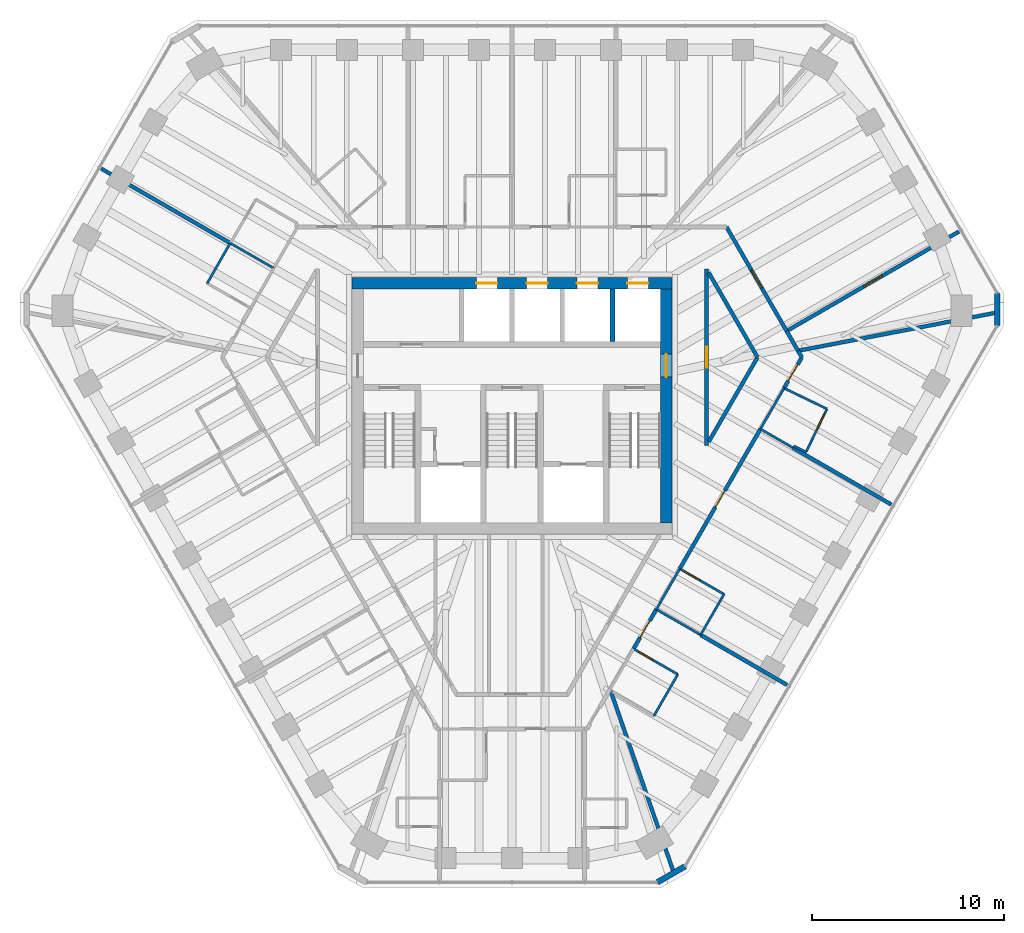
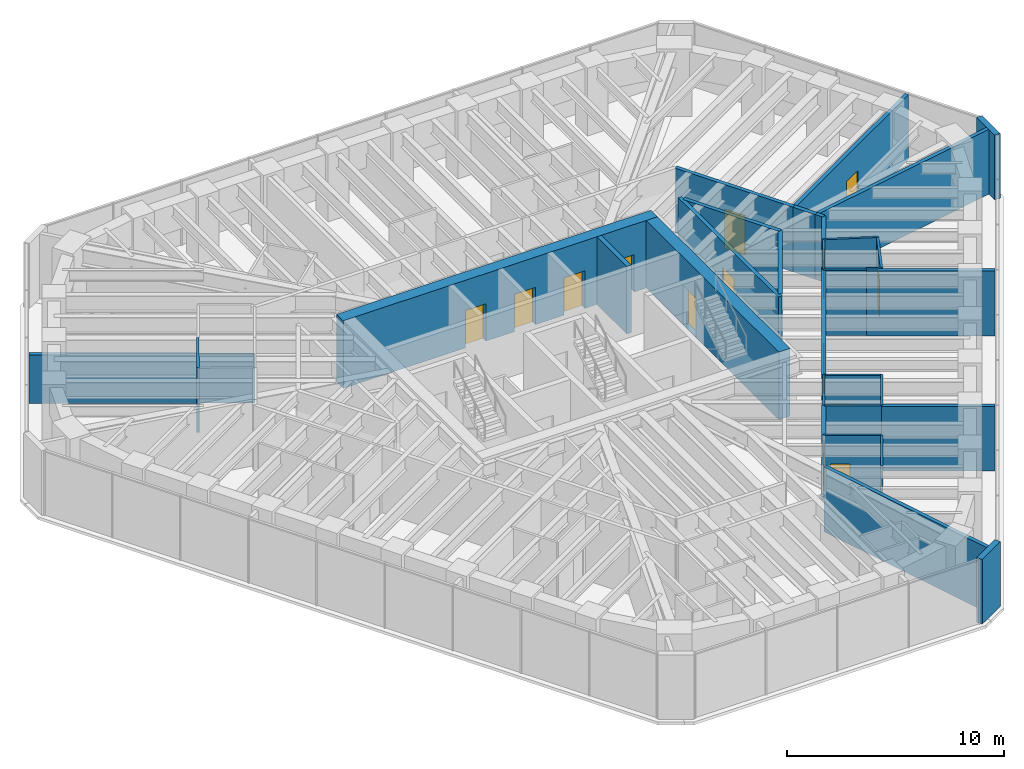
# One storey, part 11 of 14: 33 walls, 14 doors, 14 openings.
"""IFC4 building model written with IfcOpenShell, lengths in metres."""

from ifc_helpers import new_model, si_unit, direction, frame, frame_2d, origin, place, context, subcontext, project, spatial, rectangle, extrude, material, layer, layer_set, type_object, element, fill, save


model = new_model("IFC4")

# Units and contexts
model_context = context("Model", 3, precision=1e-05, world=origin(), true_north=direction((0.0, 1.0)))
body_context = subcontext(model_context, "Body", "Model", "MODEL_VIEW")
ifc_project = project(units=[si_unit("LENGTHUNIT", "METRE"), si_unit("AREAUNIT", "SQUARE_METRE"), si_unit("VOLUMEUNIT", "CUBIC_METRE"), si_unit("PLANEANGLEUNIT", "RADIAN"), si_unit("MASSUNIT", "GRAM", prefix="KILO")], contexts=[model_context])

# Site, building, storey
site_placement = place(None, origin())
site = spatial("IfcSite", under=ifc_project, at=site_placement, CompositionType="ELEMENT")
building_placement = place(site_placement, origin())
building = spatial("IfcBuilding", under=site, at=building_placement, Name="Sandreach Pilgrim Tower", CompositionType="ELEMENT")
storey_placement = place(building_placement, frame((0.0, 0.0, 295.0)))
storey = spatial("IfcBuildingStorey", under=building, at=storey_placement, Name="L74", CompositionType="ELEMENT", Elevation=295.0)

# Walls
ifc_material_1 = material(Name="Moisture-resistant gypsum board on steel studs", Category="steel")
ifc_layer_1 = layer(ifc_material_1, 0.1201171875)
ifc_layer_set_1 = layer_set([ifc_layer_1], Name="Bathroom partition 120")
wall_type_1 = type_object("IfcWallType", Name="Bathroom partition 120", PredefinedType="PARTITIONING", material=ifc_layer_set_1)
wall_1_placement = place(storey_placement, frame((-14.699951171875, 8.489990234375, 0.0), z_axis=(0.0, 0.0, 1.0), x_axis=(-0.496106327528, -0.868261776072, 0.0)))
element("IfcWall", 1, at=wall_1_placement, inside=storey, type_object=wall_type_1, Name="Bathroom partition L74-013", PredefinedType="PARTITIONING", context=body_context, shape_type="SweptSolid", body=[
    extrude(rectangle(XDim=2.418701171875, YDim=0.1201171875, at=frame_2d((1.20947265625, 0.0))), origin(), (0.0, 0.0, 1.0), 3.639892578125),
])
wall_2_placement = place(storey_placement, frame((-14.68994140625, 8.47998046875, 0.0), z_axis=(0.0, 0.0, 1.0), x_axis=(0.866816256489, -0.498627694264, 0.0)))
element("IfcWall", 2, at=wall_2_placement, inside=storey, type_object=wall_type_1, Name="Bathroom partition L74-014", PredefinedType="PARTITIONING", context=body_context, shape_type="SweptSolid", body=[
    extrude(rectangle(XDim=2.607177734375, YDim=0.1201171875, at=frame_2d((1.3037109375, 0.0))), origin(), (0.0, 0.0, 1.0), 2.712890625),
])
wall_3_placement = place(storey_placement, frame((7.39990234375, -16.179931640625, 0.0), z_axis=(0.0, 0.0, 1.0), x_axis=(0.499159685399, 0.866510016372, 0.0)))
element("IfcWall", 3, at=wall_3_placement, inside=storey, type_object=wall_type_1, Name="Bathroom partition L74-091", PredefinedType="PARTITIONING", context=body_context, shape_type="SweptSolid", body=[
    extrude(rectangle(XDim=2.504150390625, YDim=0.1201171875, at=frame_2d((1.251953125, 0.0))), origin(), (0.0, 0.0, 1.0), 3.639892578125),
])
wall_4_placement = place(storey_placement, frame((7.530029296875, -10.6201171875, 0.0), z_axis=(0.0, 0.0, 1.0), x_axis=(0.498748634132, 0.866746675766, 0.0)))
element("IfcWall", 4, at=wall_4_placement, inside=storey, type_object=wall_type_1, Name="Bathroom partition L74-092", PredefinedType="PARTITIONING", context=body_context, shape_type="SweptSolid", body=[
    extrude(rectangle(XDim=2.446044921875, YDim=0.1201171875, at=frame_2d((1.22314453125, 0.0))), origin(), (0.0, 0.0, 1.0), 3.639892578125),
])
wall_5_placement = place(storey_placement, frame((7.530029296875, -10.6201171875, 0.0), z_axis=(0.0, 0.0, 1.0), x_axis=(0.866654860089, -0.498908161372, 0.0)))
element("IfcWall", 5, at=wall_5_placement, inside=storey, type_object=wall_type_1, Name="Bathroom partition L74-093", PredefinedType="PARTITIONING", context=body_context, shape_type="SweptSolid", body=[
    extrude(rectangle(XDim=2.66552734375, YDim=0.1201171875, at=frame_2d((1.332763671875, 0.0))), origin(), (0.0, 0.0, 1.0), 3.639892578125),
])

# Wall, opening, door
wall_6_placement = place(storey_placement, frame((8.64990234375, -14.010009765625, 0.0), z_axis=(0.0, 0.0, 1.0), x_axis=(-0.866592449628, 0.499016559092, 0.0)))
wall_6 = element("IfcWall", 6, at=wall_6_placement, inside=storey, type_object=wall_type_1, Name="Bathroom partition L74-099", PredefinedType="PARTITIONING", context=body_context, shape_type="SweptSolid", body=[
    extrude(rectangle(XDim=2.665283203125, YDim=0.1201171875, at=frame_2d((1.33251953125, 0.0))), origin(), (0.0, 0.0, 1.0), 3.639892578125),
])
opening_1_placement = place(wall_6_placement, frame((1.465576171875, 0.0, 0.0)))
opening_1 = element("IfcOpeningElement", 7, at=opening_1_placement, cuts=wall_6, Name="Opening D09-09B", PredefinedType="OPENING", context=body_context, shape_type="SweptSolid", body=[
    extrude(rectangle(XDim=0.89990234375, YDim=2.030029296875, at=frame_2d((0.449951171875, 1.01513671875))), frame((0.0, 0.06005859375, 0.0), z_axis=(0.0, -1.0, 0.0), x_axis=(1.0, 0.0, 0.0)), (0.0, 0.0, 1.0), 0.1201171875),
])
ifc_material_2 = material(Name="Timber door, steel frame", Category="steel")
door_type_1 = type_object("IfcDoorType", Name="Bathroom door", OperationType="SINGLE_SWING_LEFT", PredefinedType="DOOR", material=ifc_material_2)
door_1_placement = place(opening_1_placement, origin())
door_1 = element("IfcDoor", 8, at=door_1_placement, inside=storey, type_object=door_type_1, Name="Door 7409B", OperationType="SINGLE_SWING_RIGHT", OverallHeight=2.030029296875, OverallWidth=0.89990234375, PredefinedType="DOOR", context=body_context, shape_type="SweptSolid", body=[
    extrude(rectangle(XDim=0.89990234375, YDim=2.030029296875, at=frame_2d((0.449951171875, 1.01513671875))), frame((0.0, 0.02490234375, 0.0), z_axis=(0.0, -1.0, 0.0), x_axis=(1.0, 0.0, 0.0)), (0.0, 0.0, 1.0), 0.050048828125),
])
fill(opening_1, door_1)

# Wall
wall_7_placement = place(storey_placement, frame((9.840087890625, -11.949951171875, 0.0), z_axis=(0.0, 0.0, 1.0), x_axis=(0.498791783817, 0.866721844883, 0.0)))
element("IfcWall", 9, at=wall_7_placement, inside=storey, type_object=wall_type_1, Name="Bathroom partition L74-101", PredefinedType="PARTITIONING", context=body_context, shape_type="SweptSolid", body=[
    extrude(rectangle(XDim=2.44580078125, YDim=0.1201171875, at=frame_2d((1.222900390625, 0.0))), origin(), (0.0, 0.0, 1.0), 3.639892578125),
])

# Wall, opening, door
wall_8_placement = place(storey_placement, frame((11.06005859375, -9.830078125, 0.0), z_axis=(0.0, 0.0, 1.0), x_axis=(-0.866615255992, 0.498976951453, 0.0)))
wall_8 = element("IfcWall", 10, at=wall_8_placement, inside=storey, type_object=wall_type_1, Name="Bathroom partition L74-104", PredefinedType="PARTITIONING", context=body_context, shape_type="SweptSolid", body=[
    extrude(rectangle(XDim=2.66552734375, YDim=0.1201171875, at=frame_2d((1.332763671875, 0.0))), origin(), (0.0, 0.0, 1.0), 3.639892578125),
])
opening_2_placement = place(wall_8_placement, frame((1.465576171875, 0.0, 0.0)))
opening_2 = element("IfcOpeningElement", 11, at=opening_2_placement, cuts=wall_8, Name="Opening D09-08B", PredefinedType="OPENING", context=body_context, shape_type="SweptSolid", body=[
    extrude(rectangle(XDim=0.89990234375, YDim=2.030029296875, at=frame_2d((0.449951171875, 1.01513671875))), frame((0.0, 0.06005859375, 0.0), z_axis=(0.0, -1.0, 0.0), x_axis=(1.0, 0.0, 0.0)), (0.0, 0.0, 1.0), 0.1201171875),
])
door_2_placement = place(opening_2_placement, origin())
door_2 = element("IfcDoor", 12, at=door_2_placement, inside=storey, type_object=door_type_1, Name="Door 7408B", OperationType="SINGLE_SWING_RIGHT", OverallHeight=2.030029296875, OverallWidth=0.89990234375, PredefinedType="DOOR", context=body_context, shape_type="SweptSolid", body=[
    extrude(rectangle(XDim=0.89990234375, YDim=2.030029296875, at=frame_2d((0.449951171875, 1.01513671875))), frame((0.0, 0.02490234375, 0.0), z_axis=(0.0, -1.0, 0.0), x_axis=(1.0, 0.0, 0.0)), (0.0, 0.0, 1.0), 0.050048828125),
])
fill(opening_2, door_2)

# Walls
wall_9_placement = place(storey_placement, frame((12.958984375, -1.20947265625, 0.0), z_axis=(0.0, 0.0, 1.0), x_axis=(0.500472725713, 0.865752303385, 0.0)))
element("IfcWall", 13, at=wall_9_placement, inside=storey, type_object=wall_type_1, Name="Bathroom partition L74-108", PredefinedType="PARTITIONING", context=body_context, shape_type="SweptSolid", body=[
    extrude(rectangle(XDim=2.45947265625, YDim=0.1201171875, at=frame_2d((1.229736328125, 0.0))), origin(), (0.0, 0.0, 1.0), 3.639892578125),
])
wall_10_placement = place(storey_placement, frame((12.9599609375, -1.2099609375, 0.0), z_axis=(0.0, 0.0, 1.0), x_axis=(0.866075784294, -0.499912728242, 0.0)))
element("IfcWall", 14, at=wall_10_placement, inside=storey, type_object=wall_type_1, Name="Bathroom partition L74-109", PredefinedType="PARTITIONING", context=body_context, shape_type="SweptSolid", body=[
    extrude(rectangle(XDim=1.962158203125, YDim=0.1201171875, at=frame_2d((0.98095703125, 0.0))), origin(), (0.0, 0.0, 1.0), 3.639892578125),
])
wall_11_placement = place(storey_placement, frame((14.699951171875, -2.10009765625, 0.0), z_axis=(0.0, 0.0, 1.0), x_axis=(0.900120171182, -0.43564168468, 0.0)))
element("IfcWall", 15, at=wall_11_placement, inside=storey, type_object=wall_type_1, Name="Bathroom partition L74-114", PredefinedType="PARTITIONING", context=body_context, shape_type="SweptSolid", body=[
    extrude(rectangle(XDim=0.711181640625, YDim=0.1201171875, at=frame_2d((0.35546875, 0.0))), origin(), (0.0, 0.0, 1.0), 3.639892578125),
])

# Wall, opening, door
wall_12_placement = place(storey_placement, frame((15.340087890625, -2.409912109375, 0.0), z_axis=(0.0, 0.0, 1.0), x_axis=(0.435928453727, 0.899981323824, 0.0)))
wall_12 = element("IfcWall", 16, at=wall_12_placement, inside=storey, type_object=wall_type_1, Name="Bathroom partition L74-116", PredefinedType="PARTITIONING", context=body_context, shape_type="SweptSolid", body=[
    extrude(rectangle(XDim=2.5, YDim=0.1201171875, at=frame_2d((1.25, 0.0))), origin(), (0.0, 0.0, 1.0), 3.639892578125),
])
opening_3_placement = place(wall_12_placement, frame((1.300048828125, 0.0, 0.0)))
opening_3 = element("IfcOpeningElement", 17, at=opening_3_placement, cuts=wall_12, Name="Opening D09-07B", PredefinedType="OPENING", context=body_context, shape_type="SweptSolid", body=[
    extrude(rectangle(XDim=0.89990234375, YDim=2.030029296875, at=frame_2d((0.449951171875, 1.01513671875))), frame((0.0, 0.06005859375, 0.0), z_axis=(0.0, -1.0, 0.0), x_axis=(1.0, 0.0, 0.0)), (0.0, 0.0, 1.0), 0.1201171875),
])
door_3_placement = place(opening_3_placement, origin())
door_3 = element("IfcDoor", 18, at=door_3_placement, inside=storey, type_object=door_type_1, Name="Door 7407B", OperationType="SINGLE_SWING_RIGHT", OverallHeight=2.030029296875, OverallWidth=0.89990234375, PredefinedType="DOOR", context=body_context, shape_type="SweptSolid", body=[
    extrude(rectangle(XDim=0.89990234375, YDim=2.030029296875, at=frame_2d((0.449951171875, 1.01513671875))), frame((0.0, 0.02490234375, 0.0), z_axis=(0.0, -1.0, 0.0), x_axis=(1.0, 0.0, 0.0)), (0.0, 0.0, 1.0), 0.050048828125),
])
fill(opening_3, door_3)

# Wall
wall_13_placement = place(storey_placement, frame((16.429931640625, -0.159912109375, 0.0), z_axis=(0.0, 0.0, 1.0), x_axis=(-0.900794056548, 0.434246551729, 0.0)))
element("IfcWall", 19, at=wall_13_placement, inside=storey, type_object=wall_type_1, Name="Bathroom partition L74-117", PredefinedType="PARTITIONING", context=body_context, shape_type="SweptSolid", body=[
    extrude(rectangle(XDim=2.486572265625, YDim=0.1201171875, at=frame_2d((1.2431640625, 0.0))), origin(), (0.0, 0.0, 1.0), 3.639892578125),
])

# Wall, openings, doors
ifc_material_3 = material(Name="Concrete 10000 psi", Category="concrete")
ifc_layer_2 = layer(ifc_material_3, 0.60009765625)
ifc_layer_set_2 = layer_set([ifc_layer_2], Name="Core wall 600")
wall_type_2 = type_object("IfcWallType", Name="Core wall 600", PredefinedType="SHEAR", material=ifc_layer_set_2)
wall_14_placement = place(storey_placement, frame((-8.35009765625, 6.39990234375, 0.0), z_axis=(0.0, 0.0, 1.0), x_axis=(1.0, 0.0, 0.0)))
wall_14 = element("IfcWall", 20, at=wall_14_placement, inside=storey, type_object=wall_type_2, Name="Core wall N L74", PredefinedType="SHEAR", context=body_context, shape_type="SweptSolid", body=[
    extrude(rectangle(XDim=16.7001953125, YDim=0.60009765625, at=frame_2d((8.35009765625, 0.0))), origin(), (0.0, 0.0, 1.0), 3.800048828125),
])
opening_4_placement = place(wall_14_placement, frame((6.487548828125, 0.0, 0.0)))
opening_4 = element("IfcOpeningElement", 21, at=opening_4_placement, cuts=wall_14, Name="Opening LD11", PredefinedType="OPENING", context=body_context, shape_type="SweptSolid", body=[
    extrude(rectangle(XDim=1.10009765625, YDim=2.10009765625, at=frame_2d((0.550048828125, 1.050048828125))), frame((0.0, 0.300048828125, 0.0), z_axis=(0.0, -1.0, 0.0), x_axis=(1.0, 0.0, 0.0)), (0.0, 0.0, 1.0), 0.60009765625),
])
opening_5_placement = place(wall_14_placement, frame((9.112548828125, 0.0, 0.0)))
opening_5 = element("IfcOpeningElement", 22, at=opening_5_placement, cuts=wall_14, Name="Opening LD11", PredefinedType="OPENING", context=body_context, shape_type="SweptSolid", body=[
    extrude(rectangle(XDim=1.10009765625, YDim=2.10009765625, at=frame_2d((0.550048828125, 1.050048828125))), frame((0.0, 0.300048828125, 0.0), z_axis=(0.0, -1.0, 0.0), x_axis=(1.0, 0.0, 0.0)), (0.0, 0.0, 1.0), 0.60009765625),
])
opening_6_placement = place(wall_14_placement, frame((11.737548828125, 0.0, 0.0)))
opening_6 = element("IfcOpeningElement", 23, at=opening_6_placement, cuts=wall_14, Name="Opening LD11", PredefinedType="OPENING", context=body_context, shape_type="SweptSolid", body=[
    extrude(rectangle(XDim=1.10009765625, YDim=2.10009765625, at=frame_2d((0.550048828125, 1.050048828125))), frame((0.0, 0.300048828125, 0.0), z_axis=(0.0, -1.0, 0.0), x_axis=(1.0, 0.0, 0.0)), (0.0, 0.0, 1.0), 0.60009765625),
])
opening_7_placement = place(wall_14_placement, frame((14.362548828125, 0.0, 0.0)))
opening_7 = element("IfcOpeningElement", 24, at=opening_7_placement, cuts=wall_14, Name="Opening LD11", PredefinedType="OPENING", context=body_context, shape_type="SweptSolid", body=[
    extrude(rectangle(XDim=1.10009765625, YDim=2.10009765625, at=frame_2d((0.550048828125, 1.050048828125))), frame((0.0, 0.300048828125, 0.0), z_axis=(0.0, -1.0, 0.0), x_axis=(1.0, 0.0, 0.0)), (0.0, 0.0, 1.0), 0.60009765625),
])
ifc_material_4 = material(Name="Steel door and frame", Category="steel")
door_type_2 = type_object("IfcDoorType", Name="Lift landing door", OperationType="DOUBLE_DOOR_SLIDING", PredefinedType="DOOR", material=ifc_material_4)
door_4_placement = place(opening_4_placement, origin())
door_4 = element("IfcDoor", 25, at=door_4_placement, inside=storey, type_object=door_type_2, Name="Lift landing door Z3A L74", OperationType="DOUBLE_DOOR_SLIDING", OverallHeight=2.10009765625, OverallWidth=1.10009765625, PredefinedType="DOOR", context=body_context, shape_type="SweptSolid", body=[
    extrude(rectangle(XDim=1.10009765625, YDim=2.10009765625, at=frame_2d((0.550048828125, 1.050048828125))), frame((0.0, 0.02490234375, 0.0), z_axis=(0.0, -1.0, 0.0), x_axis=(1.0, 0.0, 0.0)), (0.0, 0.0, 1.0), 0.050048828125),
])
fill(opening_4, door_4)
door_5_placement = place(opening_5_placement, origin())
door_5 = element("IfcDoor", 26, at=door_5_placement, inside=storey, type_object=door_type_2, Name="Lift landing door Z3B L74", OperationType="DOUBLE_DOOR_SLIDING", OverallHeight=2.10009765625, OverallWidth=1.10009765625, PredefinedType="DOOR", context=body_context, shape_type="SweptSolid", body=[
    extrude(rectangle(XDim=1.10009765625, YDim=2.10009765625, at=frame_2d((0.550048828125, 1.050048828125))), frame((0.0, 0.02490234375, 0.0), z_axis=(0.0, -1.0, 0.0), x_axis=(1.0, 0.0, 0.0)), (0.0, 0.0, 1.0), 0.050048828125),
])
fill(opening_5, door_5)
door_6_placement = place(opening_6_placement, origin())
door_6 = element("IfcDoor", 27, at=door_6_placement, inside=storey, type_object=door_type_2, Name="Lift landing door Z3C L74", OperationType="DOUBLE_DOOR_SLIDING", OverallHeight=2.10009765625, OverallWidth=1.10009765625, PredefinedType="DOOR", context=body_context, shape_type="SweptSolid", body=[
    extrude(rectangle(XDim=1.10009765625, YDim=2.10009765625, at=frame_2d((0.550048828125, 1.050048828125))), frame((0.0, 0.02490234375, 0.0), z_axis=(0.0, -1.0, 0.0), x_axis=(1.0, 0.0, 0.0)), (0.0, 0.0, 1.0), 0.050048828125),
])
fill(opening_6, door_6)
door_7_placement = place(opening_7_placement, origin())
door_7 = element("IfcDoor", 28, at=door_7_placement, inside=storey, type_object=door_type_2, Name="Lift landing door Z3D L74", OperationType="DOUBLE_DOOR_SLIDING", OverallHeight=2.10009765625, OverallWidth=1.10009765625, PredefinedType="DOOR", context=body_context, shape_type="SweptSolid", body=[
    extrude(rectangle(XDim=1.10009765625, YDim=2.10009765625, at=frame_2d((0.550048828125, 1.050048828125))), frame((0.0, 0.02490234375, 0.0), z_axis=(0.0, -1.0, 0.0), x_axis=(1.0, 0.0, 0.0)), (0.0, 0.0, 1.0), 0.050048828125),
])
fill(opening_7, door_7)

# Wall, opening, door
wall_15_placement = place(storey_placement, frame((8.050048828125, -6.10009765625, 0.0), z_axis=(0.0, 0.0, 1.0), x_axis=(0.0, 1.0, 0.0)))
wall_15 = element("IfcWall", 29, at=wall_15_placement, inside=storey, type_object=wall_type_2, Name="Core wall E L74", PredefinedType="SHEAR", context=body_context, shape_type="SweptSolid", body=[
    extrude(rectangle(XDim=12.2001953125, YDim=0.60009765625, at=frame_2d((6.10009765625, 0.0))), origin(), (0.0, 0.0, 1.0), 3.800048828125),
])
opening_8_placement = place(wall_15_placement, frame((7.60009765625, 0.0, 0.0)))
opening_8 = element("IfcOpeningElement", 30, at=opening_8_placement, cuts=wall_15, Name="Opening D12F-E", PredefinedType="OPENING", context=body_context, shape_type="SweptSolid", body=[
    extrude(rectangle(XDim=1.199951171875, YDim=2.199951171875, at=frame_2d((0.60009765625, 1.10009765625))), frame((0.0, 0.300048828125, 0.0), z_axis=(0.0, -1.0, 0.0), x_axis=(1.0, 0.0, 0.0)), (0.0, 0.0, 1.0), 0.60009765625),
])
ifc_material_5 = material(Name="Steel door and frame", Category="steel")
door_type_3 = type_object("IfcDoorType", Name="Fire lobby door", OperationType="SINGLE_SWING_LEFT", PredefinedType="DOOR", material=ifc_material_5)
door_8_placement = place(opening_8_placement, origin())
door_8 = element("IfcDoor", 31, at=door_8_placement, inside=storey, type_object=door_type_3, Name="Fire service lobby door E L74", OperationType="SINGLE_SWING_RIGHT", OverallHeight=2.199951171875, OverallWidth=1.199951171875, PredefinedType="DOOR", context=body_context, shape_type="SweptSolid", body=[
    extrude(rectangle(XDim=1.199951171875, YDim=2.199951171875, at=frame_2d((0.60009765625, 1.10009765625))), frame((0.0, 0.02490234375, 0.0), z_axis=(0.0, -1.0, 0.0), x_axis=(1.0, 0.0, 0.0)), (0.0, 0.0, 1.0), 0.050048828125),
])
fill(opening_8, door_8)

ifc_material_6 = material(Name="Gypsum board on steel studs, two layers each side", Category="steel")
ifc_layer_3 = layer(ifc_material_6, 0.199951171875)
ifc_layer_set_3 = layer_set([ifc_layer_3], Name="Corridor wall 200")
wall_type_3 = type_object("IfcWallType", Name="Corridor wall 200", PredefinedType="PARTITIONING", material=ifc_layer_set_3)
wall_16_placement = place(storey_placement, frame((6.340087890625, -12.679931640625, 0.0), z_axis=(0.0, 0.0, 1.0), x_axis=(0.500222880675, 0.865896685321, 0.0)))
wall_16 = element("IfcWall", 32, at=wall_16_placement, inside=storey, type_object=wall_type_3, Name="Corridor wall L74-090", PredefinedType="PARTITIONING", context=body_context, shape_type="SweptSolid", body=[
    extrude(rectangle(XDim=2.37890625, YDim=0.199951171875, at=frame_2d((1.189453125, 0.0))), origin(), (0.0, 0.0, 1.0), 3.639892578125),
])
opening_9_placement = place(wall_16_placement, frame((0.689453125, 0.0, 0.0)))
opening_9 = element("IfcOpeningElement", 33, at=opening_9_placement, cuts=wall_16, Name="Opening D10-09", PredefinedType="OPENING", context=body_context, shape_type="SweptSolid", body=[
    extrude(rectangle(XDim=1.0, YDim=2.1298828125, at=frame_2d((0.5, 1.06494140625))), frame((0.0, 0.10009765625, 0.0), z_axis=(0.0, -1.0, 0.0), x_axis=(1.0, 0.0, 0.0)), (0.0, 0.0, 1.0), 0.199951171875),
])
ifc_material_7 = material(Name="Steel door and frame", Category="steel")
door_type_4 = type_object("IfcDoorType", Name="Guest room entry door", OperationType="SINGLE_SWING_LEFT", PredefinedType="DOOR", material=ifc_material_7)
door_9_placement = place(opening_9_placement, origin())
door_9 = element("IfcDoor", 34, at=door_9_placement, inside=storey, type_object=door_type_4, Name="Door 7409", OperationType="SINGLE_SWING_LEFT", OverallHeight=2.1298828125, OverallWidth=1.0, PredefinedType="DOOR", context=body_context, shape_type="SweptSolid", body=[
    extrude(rectangle(XDim=1.0, YDim=2.1298828125, at=frame_2d((0.5, 1.06494140625))), frame((0.0, 0.02490234375, 0.0), z_axis=(0.0, -1.0, 0.0), x_axis=(1.0, 0.0, 0.0)), (0.0, 0.0, 1.0), 0.050048828125),
])
fill(opening_9, door_9)

wall_17_placement = place(storey_placement, frame((8.75, -8.5, 0.0), z_axis=(0.0, 0.0, 1.0), x_axis=(0.500093981358, 0.865971136822, 0.0)))
wall_17 = element("IfcWall", 35, at=wall_17_placement, inside=storey, type_object=wall_type_3, Name="Corridor wall L74-100", PredefinedType="PARTITIONING", context=body_context, shape_type="SweptSolid", body=[
    extrude(rectangle(XDim=8.41845703125, YDim=0.199951171875, at=frame_2d((4.209228515625, 0.0))), origin(), (0.0, 0.0, 1.0), 3.639892578125),
])
opening_10_placement = place(wall_17_placement, frame((3.709228515625, 0.0, 0.0)))
opening_10 = element("IfcOpeningElement", 36, at=opening_10_placement, cuts=wall_17, Name="Opening D10-08", PredefinedType="OPENING", context=body_context, shape_type="SweptSolid", body=[
    extrude(rectangle(XDim=1.0, YDim=2.1298828125, at=frame_2d((0.5, 1.06494140625))), frame((0.0, 0.10009765625, 0.0), z_axis=(0.0, -1.0, 0.0), x_axis=(1.0, 0.0, 0.0)), (0.0, 0.0, 1.0), 0.199951171875),
])
door_10_placement = place(opening_10_placement, origin())
door_10 = element("IfcDoor", 37, at=door_10_placement, inside=storey, type_object=door_type_4, Name="Door 7408", OperationType="SINGLE_SWING_LEFT", OverallHeight=2.1298828125, OverallWidth=1.0, PredefinedType="DOOR", context=body_context, shape_type="SweptSolid", body=[
    extrude(rectangle(XDim=1.0, YDim=2.1298828125, at=frame_2d((0.5, 1.06494140625))), frame((0.0, 0.02490234375, 0.0), z_axis=(0.0, -1.0, 0.0), x_axis=(1.0, 0.0, 0.0)), (0.0, 0.0, 1.0), 0.050048828125),
])
fill(opening_10, door_10)

wall_18_placement = place(storey_placement, frame((10.14990234375, -2.070068359375, 0.0), z_axis=(0.0, 0.0, 1.0), x_axis=(0.0, 1.0, 0.0)))
wall_18 = element("IfcWall", 38, at=wall_18_placement, inside=storey, type_object=wall_type_3, Name="Corridor wall L74-102", PredefinedType="PARTITIONING", context=body_context, shape_type="SweptSolid", body=[
    extrude(rectangle(XDim=9.2099609375, YDim=0.199951171875, at=frame_2d((4.60498046875, 0.0))), origin(), (0.0, 0.0, 1.0), 3.639892578125),
])
opening_11_placement = place(wall_18_placement, frame((4.054931640625, 0.0, 0.0)))
opening_11 = element("IfcOpeningElement", 39, at=opening_11_placement, cuts=wall_18, Name="Opening D11H-M2", PredefinedType="OPENING", context=body_context, shape_type="SweptSolid", body=[
    extrude(rectangle(XDim=1.10009765625, YDim=2.199951171875, at=frame_2d((0.550048828125, 1.10009765625))), frame((0.0, 0.10009765625, 0.0), z_axis=(0.0, -1.0, 0.0), x_axis=(1.0, 0.0, 0.0)), (0.0, 0.0, 1.0), 0.199951171875),
])
ifc_material_8 = material(Name="Steel door and frame", Category="steel")
door_type_5 = type_object("IfcDoorType", Name="Back of house door", OperationType="SINGLE_SWING_LEFT", PredefinedType="DOOR", material=ifc_material_8)
door_11_placement = place(opening_11_placement, origin())
door_11 = element("IfcDoor", 40, at=door_11_placement, inside=storey, type_object=door_type_5, Name="Door 74M2", OperationType="SINGLE_SWING_LEFT", OverallHeight=2.199951171875, OverallWidth=1.10009765625, PredefinedType="DOOR", context=body_context, shape_type="SweptSolid", body=[
    extrude(rectangle(XDim=1.10009765625, YDim=2.199951171875, at=frame_2d((0.550048828125, 1.10009765625))), frame((0.0, 0.02490234375, 0.0), z_axis=(0.0, -1.0, 0.0), x_axis=(1.0, 0.0, 0.0)), (0.0, 0.0, 1.0), 0.050048828125),
])
fill(opening_11, door_11)

# Wall
wall_19_placement = place(storey_placement, frame((10.2548828125, 6.9580078125, 0.0), z_axis=(0.0, 0.0, 1.0), x_axis=(0.499806513108, -0.866137084678, 0.0)))
element("IfcWall", 41, at=wall_19_placement, inside=storey, type_object=wall_type_3, Name="Corridor wall L74-103", PredefinedType="PARTITIONING", context=body_context, shape_type="SweptSolid", body=[
    extrude(rectangle(XDim=5.1123046875, YDim=0.199951171875, at=frame_2d((2.55615234375, 0.0))), origin(), (0.0, 0.0, 1.0), 3.639892578125),
])

# Wall, opening, door
wall_20_placement = place(storey_placement, frame((11.18994140625, 9.330078125, 0.0), z_axis=(0.0, 0.0, 1.0), x_axis=(0.500328823945, -0.865835473938, 0.0)))
wall_20 = element("IfcWall", 42, at=wall_20_placement, inside=storey, type_object=wall_type_3, Name="Corridor wall L74-106", PredefinedType="PARTITIONING", context=body_context, shape_type="SweptSolid", body=[
    extrude(rectangle(XDim=6.272705078125, YDim=0.199951171875, at=frame_2d((3.13623046875, 0.0))), origin(), (0.0, 0.0, 1.0), 3.639892578125),
])
opening_12_placement = place(wall_20_placement, frame((2.586181640625, 0.0, 0.0)))
opening_12 = element("IfcOpeningElement", 43, at=opening_12_placement, cuts=wall_20, Name="Opening D11H-05", PredefinedType="OPENING", context=body_context, shape_type="SweptSolid", body=[
    extrude(rectangle(XDim=1.10009765625, YDim=2.199951171875, at=frame_2d((0.550048828125, 1.10009765625))), frame((0.0, 0.10009765625, 0.0), z_axis=(0.0, -1.0, 0.0), x_axis=(1.0, 0.0, 0.0)), (0.0, 0.0, 1.0), 0.199951171875),
])
door_12_placement = place(opening_12_placement, origin())
door_12 = element("IfcDoor", 44, at=door_12_placement, inside=storey, type_object=door_type_5, Name="Door 7405", OperationType="SINGLE_SWING_LEFT", OverallHeight=2.199951171875, OverallWidth=1.10009765625, PredefinedType="DOOR", context=body_context, shape_type="SweptSolid", body=[
    extrude(rectangle(XDim=1.10009765625, YDim=2.199951171875, at=frame_2d((0.550048828125, 1.10009765625))), frame((0.0, 0.02490234375, 0.0), z_axis=(0.0, -1.0, 0.0), x_axis=(1.0, 0.0, 0.0)), (0.0, 0.0, 1.0), 0.050048828125),
])
fill(opening_12, door_12)

# Wall
wall_21_placement = place(storey_placement, frame((12.81005859375, 2.530029296875, 0.0), z_axis=(0.0, 0.0, 1.0), x_axis=(-0.500571425319, -0.865695239766, 0.0)))
element("IfcWall", 45, at=wall_21_placement, inside=storey, type_object=wall_type_3, Name="Corridor wall L74-107", PredefinedType="PARTITIONING", context=body_context, shape_type="SweptSolid", body=[
    extrude(rectangle(XDim=5.09375, YDim=0.199951171875, at=frame_2d((2.546875, 0.0))), origin(), (0.0, 0.0, 1.0), 3.639892578125),
])

# Wall, opening, door
wall_22_placement = place(storey_placement, frame((14.18994140625, 0.919921875, 0.0), z_axis=(0.0, 0.0, 1.0), x_axis=(0.500233848448, 0.865890349217, 0.0)))
wall_22 = element("IfcWall", 46, at=wall_22_placement, inside=storey, type_object=wall_type_3, Name="Corridor wall L74-110", PredefinedType="PARTITIONING", context=body_context, shape_type="SweptSolid", body=[
    extrude(rectangle(XDim=1.859375, YDim=0.199951171875, at=frame_2d((0.9296875, 0.0))), origin(), (0.0, 0.0, 1.0), 3.639892578125),
])
opening_13_placement = place(wall_22_placement, frame((0.4296875, 0.0, 0.0)))
opening_13 = element("IfcOpeningElement", 47, at=opening_13_placement, cuts=wall_22, Name="Opening D10-07", PredefinedType="OPENING", context=body_context, shape_type="SweptSolid", body=[
    extrude(rectangle(XDim=1.0, YDim=2.1298828125, at=frame_2d((0.5, 1.06494140625))), frame((0.0, 0.10009765625, 0.0), z_axis=(0.0, -1.0, 0.0), x_axis=(1.0, 0.0, 0.0)), (0.0, 0.0, 1.0), 0.199951171875),
])
door_13_placement = place(opening_13_placement, origin())
door_13 = element("IfcDoor", 48, at=door_13_placement, inside=storey, type_object=door_type_4, Name="Door 7407", OperationType="SINGLE_SWING_LEFT", OverallHeight=2.1298828125, OverallWidth=1.0, PredefinedType="DOOR", context=body_context, shape_type="SweptSolid", body=[
    extrude(rectangle(XDim=1.0, YDim=2.1298828125, at=frame_2d((0.5, 1.06494140625))), frame((0.0, 0.02490234375, 0.0), z_axis=(0.0, -1.0, 0.0), x_axis=(1.0, 0.0, 0.0)), (0.0, 0.0, 1.0), 0.050048828125),
])
fill(opening_13, door_13)

# Walls
wall_23_placement = place(storey_placement, frame((14.328369140625, 3.89892578125, 0.0), z_axis=(0.0, 0.0, 1.0), x_axis=(0.498463393977, -0.866910747923, 0.0)))
element("IfcWall", 49, at=wall_23_placement, inside=storey, type_object=wall_type_3, Name="Corridor wall L74-111", PredefinedType="PARTITIONING", context=body_context, shape_type="SweptSolid", body=[
    extrude(rectangle(XDim=1.186767578125, YDim=0.199951171875, at=frame_2d((0.59326171875, 0.0))), origin(), (0.0, 0.0, 1.0), 3.639892578125),
])
wall_24_placement = place(storey_placement, frame((14.919921875, 2.8701171875, 0.0), z_axis=(0.0, 0.0, 1.0), x_axis=(0.507290461451, -0.861775137562, 0.0)))
element("IfcWall", 50, at=wall_24_placement, inside=storey, type_object=wall_type_3, Name="Corridor wall L74-115", PredefinedType="PARTITIONING", context=body_context, shape_type="SweptSolid", body=[
    extrude(rectangle(XDim=0.39453125, YDim=0.199951171875, at=frame_2d((0.197265625, 0.0))), origin(), (0.0, 0.0, 1.0), 3.639892578125),
])
ifc_material_9 = material(Name="Double steel stud acoustic wall, gypsum board", Category="steel")
ifc_layer_4 = layer(ifc_material_9, 0.199951171875)
ifc_layer_set_4 = layer_set([ifc_layer_4], Name="Party wall 200")
wall_type_4 = type_object("IfcWallType", Name="Party wall 200", PredefinedType="PARTITIONING", material=ifc_layer_set_4)
wall_25_placement = place(storey_placement, frame((-21.426025390625, 12.3701171875, 0.0), z_axis=(0.0, 0.0, 1.0), x_axis=(0.866202335538, -0.499693419917, 0.0)))
element("IfcWall", 51, at=wall_25_placement, inside=storey, type_object=wall_type_4, Name="Party wall L74-002", PredefinedType="PARTITIONING", context=body_context, shape_type="SweptSolid", body=[
    extrude(rectangle(XDim=7.76513671875, YDim=0.199951171875, at=frame_2d((3.882568359375, 0.0))), origin(), (0.0, 0.0, 1.0), 2.712890625),
])
wall_26_placement = place(storey_placement, frame((8.4501953125, -24.381591796875, 0.0), z_axis=(0.0, 0.0, 1.0), x_axis=(-0.328108256954, 0.944640128154, 0.0)))
element("IfcWall", 52, at=wall_26_placement, inside=storey, type_object=wall_type_4, Name="Party wall L74-098", PredefinedType="PARTITIONING", context=body_context, shape_type="SweptSolid", body=[
    extrude(rectangle(XDim=10.05859375, YDim=0.199951171875, at=frame_2d((5.029296875, 0.0))), origin(), (0.0, 0.0, 1.0), 3.639892578125),
])
wall_27_placement = place(storey_placement, frame((14.34619140625, -14.56005859375, 0.0), z_axis=(0.0, 0.0, 1.0), x_axis=(-0.86575990496, 0.500459575754, 0.0)))
element("IfcWall", 53, at=wall_27_placement, inside=storey, type_object=wall_type_4, Name="Party wall L74-112", PredefinedType="PARTITIONING", context=body_context, shape_type="SweptSolid", body=[
    extrude(rectangle(XDim=5.20751953125, YDim=0.199951171875, at=frame_2d((2.603759765625, 0.0))), origin(), (0.0, 0.0, 1.0), 3.639892578125),
])
wall_28_placement = place(storey_placement, frame((14.659423828125, -2.19091796875, 0.0), z_axis=(0.0, 0.0, 1.0), x_axis=(0.866075017274, -0.499914057068, 0.0)))
element("IfcWall", 54, at=wall_28_placement, inside=storey, type_object=wall_type_4, Name="Party wall L74-113", PredefinedType="PARTITIONING", context=body_context, shape_type="SweptSolid", body=[
    extrude(rectangle(XDim=5.91943359375, YDim=0.199951171875, at=frame_2d((2.959716796875, 0.0))), origin(), (0.0, 0.0, 1.0), 3.639892578125),
])

# Wall, opening, door
wall_29_placement = place(storey_placement, frame((23.316162109375, 9.090087890625, 0.0), z_axis=(0.0, 0.0, 1.0), x_axis=(-0.865947121586, -0.50013556424, 0.0)))
wall_29 = element("IfcWall", 55, at=wall_29_placement, inside=storey, type_object=wall_type_4, Name="Party wall L74-119", PredefinedType="PARTITIONING", context=body_context, shape_type="SweptSolid", body=[
    extrude(rectangle(XDim=10.3671875, YDim=0.199951171875, at=frame_2d((5.18359375, 0.0))), origin(), (0.0, 0.0, 1.0), 3.639892578125),
])
opening_14_placement = place(wall_29_placement, frame((4.633544921875, 0.0, 0.0)))
opening_14 = element("IfcOpeningElement", 56, at=opening_14_placement, cuts=wall_29, Name="Opening D11H-06", PredefinedType="OPENING", context=body_context, shape_type="SweptSolid", body=[
    extrude(rectangle(XDim=1.10009765625, YDim=2.199951171875, at=frame_2d((0.550048828125, 1.10009765625))), frame((0.0, 0.10009765625, 0.0), z_axis=(0.0, -1.0, 0.0), x_axis=(1.0, 0.0, 0.0)), (0.0, 0.0, 1.0), 0.199951171875),
])
door_14_placement = place(opening_14_placement, origin())
door_14 = element("IfcDoor", 57, at=door_14_placement, inside=storey, type_object=door_type_5, Name="Door 7406", OperationType="SINGLE_SWING_LEFT", OverallHeight=2.199951171875, OverallWidth=1.10009765625, PredefinedType="DOOR", context=body_context, shape_type="SweptSolid", body=[
    extrude(rectangle(XDim=1.10009765625, YDim=2.199951171875, at=frame_2d((0.550048828125, 1.10009765625))), frame((0.0, 0.02490234375, 0.0), z_axis=(0.0, -1.0, 0.0), x_axis=(1.0, 0.0, 0.0)), (0.0, 0.0, 1.0), 0.050048828125),
])
fill(opening_14, door_14)

# Walls
wall_30_placement = place(storey_placement, frame((25.340576171875, 4.874267578125, 0.0), z_axis=(0.0, 0.0, 1.0), x_axis=(-0.982001168061, -0.188874841966, 0.0)))
element("IfcWall", 58, at=wall_30_placement, inside=storey, type_object=wall_type_4, Name="Party wall L74-120", PredefinedType="PARTITIONING", context=body_context, shape_type="SweptSolid", body=[
    extrude(rectangle(XDim=10.556640625, YDim=0.199951171875, at=frame_2d((5.2783203125, 0.0))), origin(), (0.0, 0.0, 1.0), 3.639892578125),
])
ifc_material_10 = material(Name="Gypsum shaft wall on steel studs, two layers of shaft liner board", Category="steel")
ifc_layer_5 = layer(ifc_material_10, 0.25)
ifc_layer_set_5 = layer_set([ifc_layer_5], Name="Shaft partition 250")
wall_type_5 = type_object("IfcWallType", Name="Shaft partition 250", PredefinedType="PARTITIONING", material=ifc_layer_set_5)
wall_31_placement = place(storey_placement, frame((5.25, 3.35009765625, 0.0), z_axis=(0.0, 0.0, 1.0), x_axis=(0.0, 1.0, 0.0)))
element("IfcWall", 59, at=wall_31_placement, inside=storey, type_object=wall_type_5, Name="Shaft partition NS4 L74", PredefinedType="PARTITIONING", context=body_context, shape_type="SweptSolid", body=[
    extrude(rectangle(XDim=2.75, YDim=0.25, at=frame_2d((1.375, 0.0))), origin(), (0.0, 0.0, 1.0), 3.800048828125),
])
ifc_material_11 = material(Name="Terracotta rainscreen on concrete", Category="masonry")
ifc_layer_6 = layer(ifc_material_11, 0.300048828125)
ifc_layer_set_6 = layer_set([ifc_layer_6], Name="Terracotta chamfer pier")
wall_type_6 = type_object("IfcWallType", Name="Terracotta chamfer pier", PredefinedType="SOLIDWALL", material=ifc_layer_set_6)
for number, where, z_axis, x_axis, name in (
    (60, (25.3193359375, 5.861572265625, 0.0), (0.0, 0.0, 1.0), (0.0, -1.0, 0.0), "Chamfer pier L74 NE"),
    (61, (9.02099609375, -24.028076171875, 0.0), (0.0, 0.0, 1.0), (-0.865989634427, -0.500061949227, 0.0), "Chamfer pier L74 SE"),
):
    element("IfcWall", number, at=place(storey_placement, frame(where, z_axis=z_axis, x_axis=x_axis)), inside=storey, type_object=wall_type_6, Name=name, PredefinedType="SOLIDWALL", context=body_context, shape_type="SweptSolid", body=[
        extrude(rectangle(XDim=1.659912109375, YDim=0.300048828125, at=frame_2d((0.830078125, 0.0))), origin(), (0.0, 0.0, 1.0), 3.639892578125),
    ])

save(model, "model.ifc")
